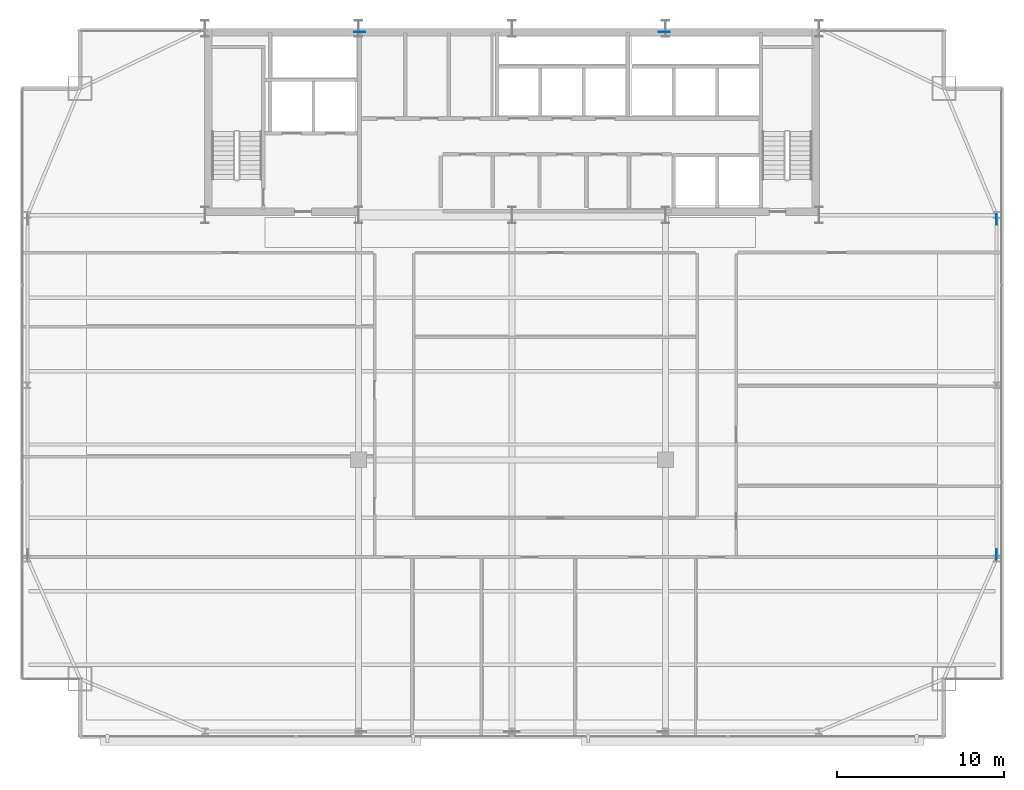
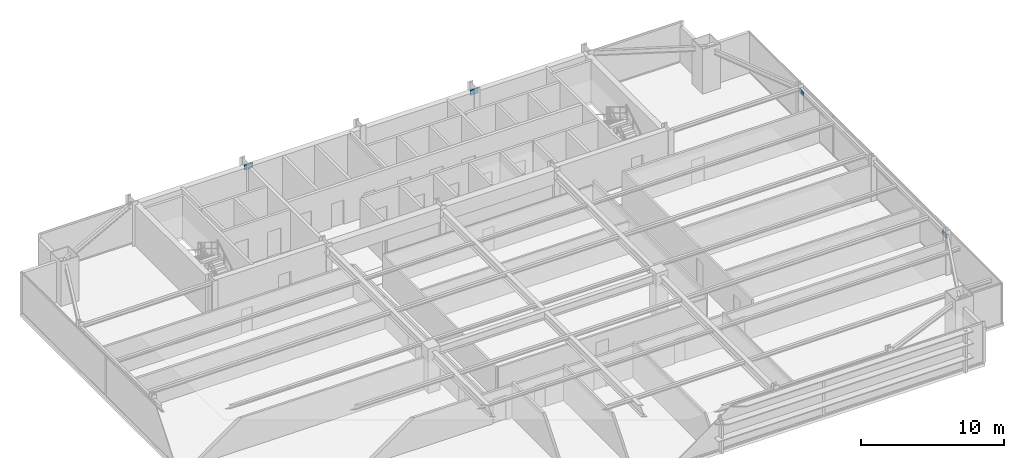
# One storey, part 28 of 33: 4 plates.
"""IFC4 building model written with IfcOpenShell, lengths in metres."""

from ifc_helpers import new_model, si_unit, direction, frame, origin, origin_2d, place, context, subcontext, project, spatial, rectangle, extrude, source, transform, mapped, material, layer, layer_set, type_object, type_shapes, element, save


model = new_model("IFC4")

# Units and contexts
model_context = context("Model", 3, precision=1e-05, world=origin(), true_north=direction((0.0, 1.0)))
body_context = subcontext(model_context, "Body", "Model", "MODEL_VIEW")
ifc_project = project(units=[si_unit("LENGTHUNIT", "METRE"), si_unit("AREAUNIT", "SQUARE_METRE"), si_unit("VOLUMEUNIT", "CUBIC_METRE"), si_unit("PLANEANGLEUNIT", "RADIAN"), si_unit("MASSUNIT", "GRAM", prefix="KILO")], contexts=[model_context])

# Site, building, storey
site_placement = place(None, origin())
site = spatial("IfcSite", under=ifc_project, at=site_placement, CompositionType="ELEMENT")
building_placement = place(site_placement, origin())
building = spatial("IfcBuilding", under=site, at=building_placement, Name="Varnel Quay Broadcast Tower", CompositionType="ELEMENT")
storey_placement = place(building_placement, frame((0.0, 0.0, 137.199951171875)))
storey = spatial("IfcBuildingStorey", under=building, at=storey_placement, Name="L33", CompositionType="ELEMENT", Elevation=137.199951171875)

# Plates
ifc_material = material(Name="Structural Steel CSA G40.21 350WT", Category="steel")
ifc_layer_1 = layer(ifc_material, 0.0400390625, Name="Structural Steel CSA G40.21 350WT")
ifc_layer_set_1 = layer_set([ifc_layer_1], Name="Structural Steel CSA G40.21 350WT")
plate_type_1 = type_object("IfcPlateType", Name="Plate_EmbedPlate", PredefinedType="USERDEFINED", material=ifc_layer_set_1)
shared_shape_1 = source(origin(), body_context, "Body", "SweptSolid", [
    extrude(rectangle(XDim=0.639892578125, YDim=0.0400390625, at=origin_2d()), origin(), (0.0, 0.0, 1.0), 0.449951171875),
])
type_shapes(plate_type_1, [shared_shape_1])
for number, where, z_axis, x_axis, name in (
    (1, (43.123779296875, 46.580078125, 3.14208984375), (0.0, 0.0, 1.0), (1.0, 0.0, 0.0), "Zone 2 Mega-Brace N-CT3 Diag A Wall Cast-In Embed Plate P1"),
    (2, (24.876220703125, 46.580078125, 3.14208984375), (0.0, 0.0, 1.0), (1.0, 0.0, 0.0), "Zone 2 Mega-Brace N-CT3 Diag B2 Wall Cast-In Embed Plate P1"),
):
    element("IfcPlate", number, at=place(storey_placement, frame(where, z_axis=z_axis, x_axis=x_axis)), inside=storey, type_object=plate_type_1, Name=name, ObjectType="EMBED_PLATE", PredefinedType="USERDEFINED", context=body_context, shape_type="MappedRepresentation", body=[
        mapped(shared_shape_1, transform((0.0, 0.0, 0.0), x_axis=(1.0, 0.0, 0.0), y_axis=(0.0, 1.0, 0.0), z_axis=(0.0, 0.0, 1.0), scale=1.0)),
    ])
ifc_layer_2 = layer(ifc_material, 0.031982421875, Name="Structural Steel CSA G40.21 350WT")
ifc_layer_set_2 = layer_set([ifc_layer_2], Name="Structural Steel CSA G40.21 350WT")
plate_type_2 = type_object("IfcPlateType", Name="Plate_EndCap", PredefinedType="USERDEFINED", material=ifc_layer_set_2)
shared_shape_2 = source(origin(), body_context, "Body", "SweptSolid", [
    extrude(rectangle(XDim=0.6201171875, YDim=0.031982421875, at=origin_2d()), origin(), (0.0, 0.0, 1.0), 0.3798828125),
])
type_shapes(plate_type_2, [shared_shape_2])
for number, where, z_axis, x_axis, name in (
    (3, (63.050048828125, 35.343017578125, 2.990234375), (0.0, 0.0, 1.0), (0.0, 1.0, 0.0), "Zone 2 Mega-Brace E-FT3 Diag A End Connection Plate P1"),
    (4, (63.050048828125, 15.257080078125, 2.990234375), (0.0, 0.0, 1.0), (0.0, 1.0, 0.0), "Zone 2 Mega-Brace E-FT3 Diag B2 End Connection Plate P1"),
):
    element("IfcPlate", number, at=place(storey_placement, frame(where, z_axis=z_axis, x_axis=x_axis)), inside=storey, type_object=plate_type_2, Name=name, ObjectType="CAP_PLATE", PredefinedType="USERDEFINED", context=body_context, shape_type="MappedRepresentation", body=[
        mapped(shared_shape_2, transform((0.0, 0.0, 0.0), x_axis=(1.0, 0.0, 0.0), y_axis=(0.0, 1.0, 0.0), z_axis=(0.0, 0.0, 1.0), scale=1.0)),
    ])

save(model, "model.ifc")
